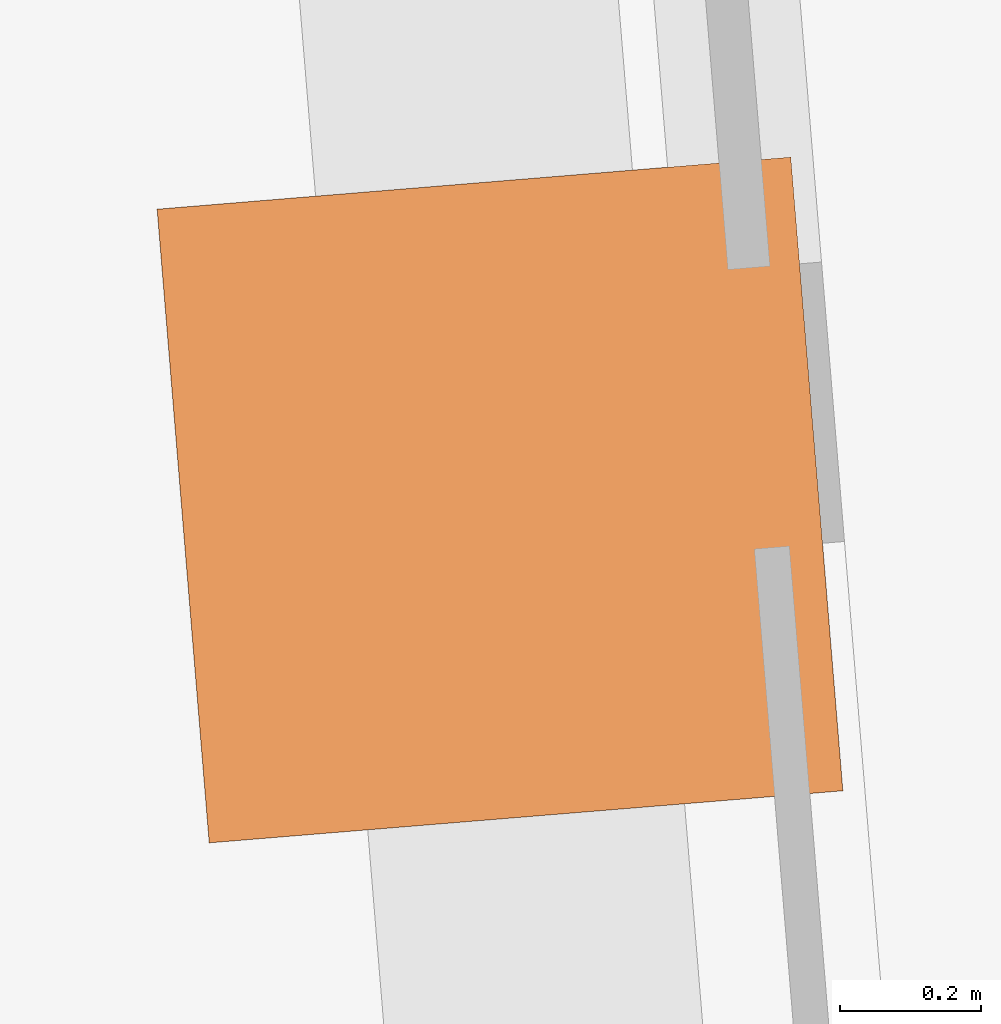
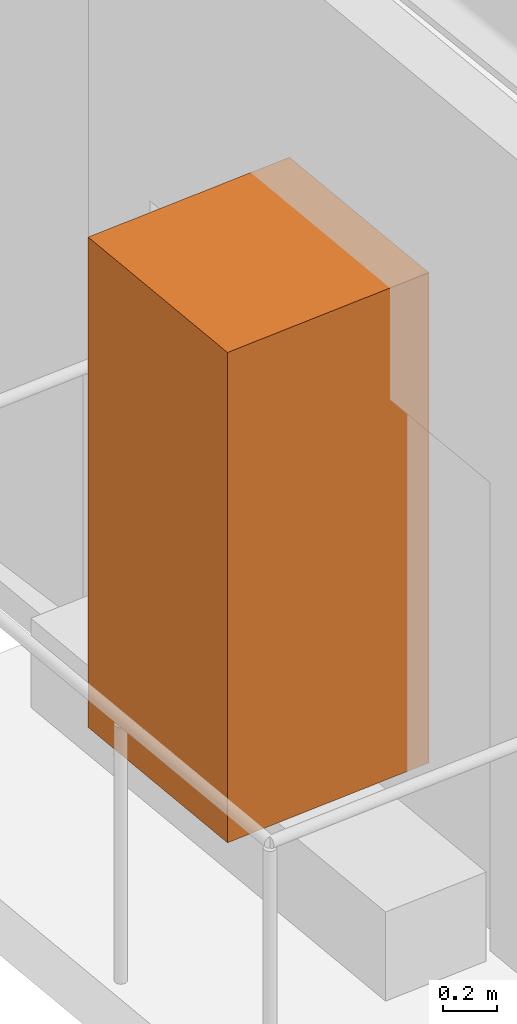
# One storey, part 9 of 9: 1 geographic element.
"""IFC4 building model written with IfcOpenShell, lengths in metres."""

import ifcopenshell
import ifcopenshell.guid

model = None  # the IFC model being written
_history = None  # IfcOwnerHistory: only IFC2X3 demands one
_inside = {}  # id of a spatial element -> (the spatial element, [elements in it])
_under = {}  # id of a project, library or spatial element -> (it, [spatial elements below it])
_declared = {}  # id of a project -> (the project, [libraries it declares])
_typed = {}  # id of a type object -> (the type object, [elements of that type])
_made_of = {}  # id of a material, layer set ... -> (it, [elements and type objects made of it])


def new_model(schema):
    """Start an empty IFC model of exactly this schema.

    Asked for "IFC4X3", IfcOpenShell would pick the latest addendum, in which some entities
    have other attributes; the version numbers below select the first issue.
    IFC2X3 requires an IfcOwnerHistory on every rooted entity: one is made here for all.
    """
    global model, _history
    if schema == "IFC4X3":
        model = ifcopenshell.file(schema_version=(4, 3, 0, 0))
    else:
        model = ifcopenshell.file(schema=schema)
    _inside.clear()
    _under.clear()
    _declared.clear()
    _typed.clear()
    _made_of.clear()
    _history = None
    if model.schema == "IFC2X3":
        org = make("IfcOrganization", Name="unknown")
        user = make(
            "IfcPersonAndOrganization",
            ThePerson=make("IfcPerson", FamilyName="unknown"),
            TheOrganization=org,
        )
        app = make(
            "IfcApplication",
            ApplicationDeveloper=org,
            Version="unknown",
            ApplicationFullName="unknown",
            ApplicationIdentifier="unknown",
        )
        _history = make(
            "IfcOwnerHistory",
            OwningUser=user,
            OwningApplication=app,
            ChangeAction="ADDED",
            CreationDate=0,
        )
    return model


def make(cls, **values):
    """One entity of the class cls with the attributes given. An attribute that is None is left unset."""
    return model.create_entity(
        cls, **{name: value for name, value in values.items() if value is not None}
    )


def rooted(cls, **values):
    """An entity with a GlobalId (a new one), such as an element, a storey or a relation."""
    return make(cls, GlobalId=ifcopenshell.guid.new(), OwnerHistory=_history, **values)


def si_unit(unit_type, name, prefix=None):
    """IfcSIUnit, for example si_unit("LENGTHUNIT", "METRE", prefix="MILLI")."""
    return make("IfcSIUnit", UnitType=unit_type, Prefix=prefix, Name=name)


def assignment(units):
    """IfcUnitAssignment: the units of a project."""
    return None if units is None else make("IfcUnitAssignment", Units=units)


def point(xyz):
    """IfcCartesianPoint."""
    return None if xyz is None else make("IfcCartesianPoint", Coordinates=xyz)


def direction(xyz):
    """IfcDirection."""
    return None if xyz is None else make("IfcDirection", DirectionRatios=xyz)


def frame(location, z_axis=None, x_axis=None):
    """IfcAxis2Placement3D, a coordinate frame: its origin and axes. An axis left out is left unset."""
    return make(
        "IfcAxis2Placement3D",
        Location=point(location),
        Axis=direction(z_axis),
        RefDirection=direction(x_axis),
    )


def frame_2d(location, x_axis=None):
    """IfcAxis2Placement2D, a coordinate frame in the plane: its origin and x axis."""
    return make(
        "IfcAxis2Placement2D", Location=point(location), RefDirection=direction(x_axis)
    )


def origin():
    """The frame at (0, 0, 0) with its axes left unset."""
    return frame((0.0, 0.0, 0.0))


def origin_2d():
    """The frame at (0, 0) in the plane with its x axis left unset."""
    return frame_2d((0.0, 0.0))


def place(relative_to, where):
    """IfcLocalPlacement: puts the frame where relative to a parent placement (None: the world)."""
    return make(
        "IfcLocalPlacement", PlacementRelTo=relative_to, RelativePlacement=where
    )


def context(
    kind, dimensions, precision=None, world=None, true_north=None, identifier=None
):
    """IfcGeometricRepresentationContext, for example the 3D "Model" context."""
    return make(
        "IfcGeometricRepresentationContext",
        ContextIdentifier=identifier,
        ContextType=kind,
        CoordinateSpaceDimension=dimensions,
        Precision=precision,
        WorldCoordinateSystem=world,
        TrueNorth=true_north,
    )


def subcontext(parent, identifier, kind, view, scale=None):
    """IfcGeometricRepresentationSubContext, for example "Body" below "Model"."""
    return make(
        "IfcGeometricRepresentationSubContext",
        ContextIdentifier=identifier,
        ContextType=kind,
        ParentContext=parent,
        TargetScale=scale,
        TargetView=view,
    )


def project(units=None, contexts=None):
    """IfcProject with its units and contexts."""
    return rooted(
        "IfcProject",
        Name="project",
        RepresentationContexts=contexts,
        UnitsInContext=assignment(units),
    )


def spatial(cls, under=None, at=None, **own):
    """A site, building, storey or space (cls), placed at a placement, below another one or the project."""
    s = rooted(cls, ObjectPlacement=at, **own)
    if under is not None:
        _under.setdefault(under.id(), (under, []))[1].append(s)
    return s


def profile(cls, at=None, kind="AREA", **sizes):
    """A parametric profile (cls). Its sizes go by their IFC names, for example OverallWidth=200.0."""
    return make(cls, ProfileType=kind, Position=at, **sizes)


def rectangle(**sizes):
    """IfcRectangleProfileDef."""
    return profile("IfcRectangleProfileDef", **sizes)


def extrude(swept, where, along, depth):
    """IfcExtrudedAreaSolid: the profile swept, set in the frame where, extruded along a direction by depth."""
    return make(
        "IfcExtrudedAreaSolid",
        SweptArea=swept,
        Position=where,
        ExtrudedDirection=direction(along),
        Depth=depth,
    )


def shape(context_of_items, identifier, shape_type, items):
    """IfcShapeRepresentation: the items that make up one representation, for example the "Body"."""
    return make(
        "IfcShapeRepresentation",
        ContextOfItems=context_of_items,
        RepresentationIdentifier=identifier,
        RepresentationType=shape_type,
        Items=items,
    )


def material(Name=None, Category=None):
    """IfcMaterial."""
    return make("IfcMaterial", Name=Name, Category=Category)


def made_of(thing, what):
    """Note that an element or type object is made of a material, layer set ...; save() writes the relation."""
    if what is not None:
        _made_of.setdefault(what.id(), (what, []))[1].append(thing)
    return thing


def type_object(cls, material=None, **own):
    """A type object (cls), such as IfcWallType, which elements share."""
    return made_of(rooted(cls, **own), material)


def element(
    cls,
    number,
    at=None,
    inside=None,
    cuts=None,
    type_object=None,
    material=None,
    context=None,
    identifier="Body",
    shape_type=None,
    held_by="IfcProductDefinitionShape",
    body=None,
    shapes=None,
    **own,
):
    """One element of the class cls, such as IfcWall. Its Tag is "e" and its number.

    at: its placement. inside: the storey or other place that contains it. cuts: it is an
    opening in that element (IfcRelVoidsElement). A single representation is given by context,
    identifier, shape_type and body (its items); several are given by shapes. held_by: the class
    of the entity that holds the representations. save() writes the other relations.
    """
    e = rooted(cls, Tag="e%d" % number, ObjectPlacement=at, **own)
    if body is not None:
        shapes = [shape(context, identifier, shape_type, body)]
    if shapes is not None:
        e.Representation = make(held_by, Representations=shapes)
    if inside is not None:
        _inside.setdefault(inside.id(), (inside, []))[1].append(e)
    if cuts is not None:
        rooted(
            "IfcRelVoidsElement", RelatingBuildingElement=cuts, RelatedOpeningElement=e
        )
    if type_object is not None:
        _typed.setdefault(type_object.id(), (type_object, []))[1].append(e)
    return made_of(e, material)


def aggregate(whole, parts):
    """IfcRelAggregates: a whole, such as a stair, and the parts it consists of."""
    return rooted("IfcRelAggregates", RelatingObject=whole, RelatedObjects=parts)


def save(model, path):
    """Write the relations noted so far, then the file.

    IfcRelAggregates (storeys below a building ...), IfcRelContainedInSpatialStructure (elements
    in a storey), IfcRelDefinesByType, IfcRelAssociatesMaterial and IfcRelDeclares: one each for
    every whole, place, type object, material and project.
    """
    for whole, parts in _under.values():
        aggregate(whole, parts)
    for where, things in _inside.values():
        rooted(
            "IfcRelContainedInSpatialStructure",
            RelatedElements=things,
            RelatingStructure=where,
        )
    for kind, things in _typed.values():
        rooted("IfcRelDefinesByType", RelatedObjects=things, RelatingType=kind)
    for what, things in _made_of.values():
        rooted("IfcRelAssociatesMaterial", RelatedObjects=things, RelatingMaterial=what)
    for by, libraries in _declared.values():
        rooted("IfcRelDeclares", RelatingContext=by, RelatedDefinitions=libraries)
    model.write(path)


model = new_model("IFC4")

# Units and contexts
model_context = context("Model", 3, precision=1e-05, world=origin(), true_north=direction((0.0, 1.0)))
body_context = subcontext(model_context, "Body", "Model", "MODEL_VIEW")
ifc_project = project(units=[si_unit("LENGTHUNIT", "METRE"), si_unit("AREAUNIT", "SQUARE_METRE"), si_unit("VOLUMEUNIT", "CUBIC_METRE"), si_unit("PLANEANGLEUNIT", "RADIAN"), si_unit("MASSUNIT", "GRAM", prefix="KILO")], contexts=[model_context])

# Site, building, storey
site_placement = place(None, origin())
site = spatial("IfcSite", under=ifc_project, at=site_placement, CompositionType="ELEMENT")
building_placement = place(site_placement, origin())
building = spatial("IfcBuilding", under=site, at=building_placement, Name="Verdant Reach Tower", CompositionType="ELEMENT")
storey_placement = place(building_placement, frame((0.0, 0.0, 90.0)))
storey = spatial("IfcBuildingStorey", under=building, at=storey_placement, Name="L20", CompositionType="ELEMENT", Elevation=90.0)

# Geographic element
ifc_material = material(Name="Planting")
geographic_element_type = type_object("IfcGeographicElementType", Name="EN-TREE", PredefinedType="USERDEFINED", material=ifc_material)
geographic_element_placement = place(storey_placement, frame((-24.1044921875, 42.398193359375, 0.39990234375), z_axis=(0.0, 0.0, 1.0), x_axis=(0.081915556724, -0.996639273542, 0.0)))
element("IfcGeographicElement", 1, at=geographic_element_placement, inside=storey, type_object=geographic_element_type, Name="Balcony tree, Queen palm (Syagrus romanzoffiana), L20 1", ObjectType="TREE", PredefinedType="USERDEFINED", context=body_context, shape_type="SweptSolid", body=[
    extrude(rectangle(XDim=0.89990234375, YDim=0.89990234375, at=origin_2d()), origin(), (0.0, 0.0, 1.0), 2.199951171875),
])

save(model, "model.ifc")
